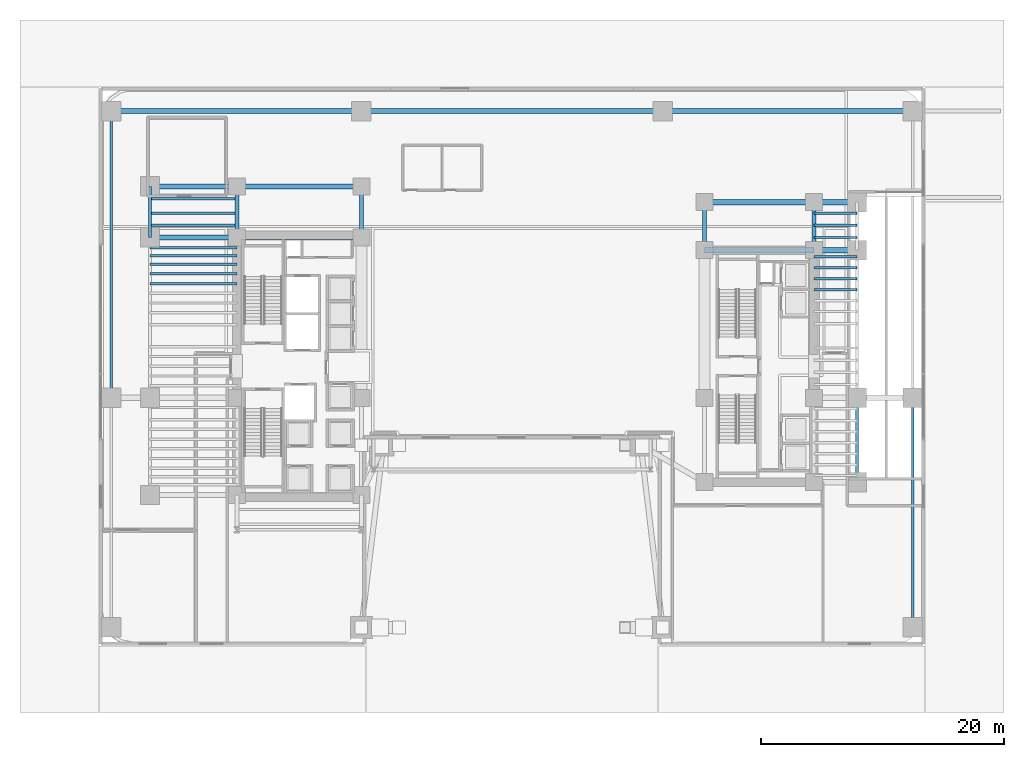
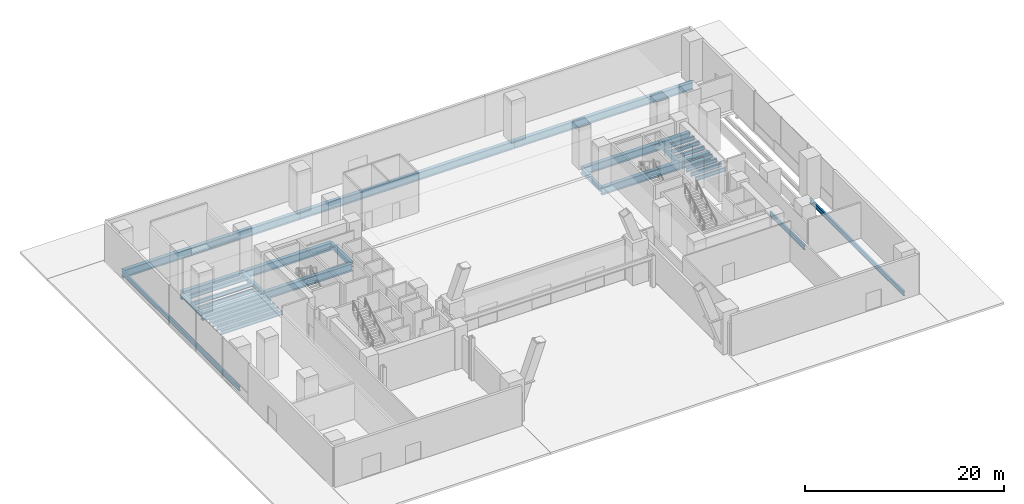
# One storey, part 9 of 27: 34 beams.
"""IFC4 building model written with IfcOpenShell, lengths in metres."""

from ifc_helpers import new_model, si_unit, direction, frame, origin, origin_2d, place, context, subcontext, project, spatial, i_section, extrude, source, transform, mapped, material, material_profile, profile_set, type_object, element, save


model = new_model("IFC4")

# Units and contexts
model_context = context("Model", 3, precision=1e-05, world=origin(), true_north=direction((0.0, 1.0)))
body_context = subcontext(model_context, "Body", "Model", "MODEL_VIEW")
ifc_project = project(units=[si_unit("LENGTHUNIT", "METRE"), si_unit("AREAUNIT", "SQUARE_METRE"), si_unit("VOLUMEUNIT", "CUBIC_METRE"), si_unit("PLANEANGLEUNIT", "RADIAN"), si_unit("MASSUNIT", "GRAM", prefix="KILO")], contexts=[model_context])

# Site, building, storey
site_placement = place(None, origin())
site = spatial("IfcSite", under=ifc_project, at=site_placement, CompositionType="ELEMENT")
building_placement = place(site_placement, origin())
building = spatial("IfcBuilding", under=site, at=building_placement, Name="Valdorenza Pilgrim Sanctuary Tower", CompositionType="ELEMENT")
storey_placement = place(building_placement, origin())
storey = spatial("IfcBuildingStorey", under=building, at=storey_placement, Name="L00", CompositionType="ELEMENT", Elevation=0.0)

# Beams
ifc_material = material(Name="Steel ASTM A992 Grade 50", Category="steel")
ifc_material_profile_1 = material_profile(ifc_material, i_section(OverallWidth=0.423095703125, OverallDepth=0.947998046875, WebThickness=0.02392578125, FlangeThickness=0.042724609375, at=origin_2d()), Name="W36X302")
ifc_profile_set_1 = profile_set([ifc_material_profile_1], Name="Steel ASTM A992 Grade 50")
beam_type_1 = type_object("IfcBeamType", Name="STR-BM-GRD-W36A", PredefinedType="BEAM", material=ifc_profile_set_1)
shared_shape_1 = source(origin(), body_context, "Body", "SweptSolid", [
    extrude(i_section(OverallWidth=0.423095703125, OverallDepth=0.947998046875, WebThickness=0.02392578125, FlangeThickness=0.042724609375, at=origin_2d()), origin(), (0.0, 0.0, 1.0), 7.150146484375),
])
for number, where, z_axis, x_axis, name in (
    (1, (-29.800048828125, 10.60009765625, -0.75390625), (1.0, 0.0, 0.0), (0.0, 1.0, 0.0), "L00 Floor Girder WA-XW-N1"),
    (2, (-29.800048828125, 14.800048828125, -0.75390625), (1.0, 0.0, 0.0), (0.0, 1.0, 0.0), "L00 Floor Girder WA-XW-N2"),
):
    element("IfcBeam", number, at=place(storey_placement, frame(where, z_axis=z_axis, x_axis=x_axis)), inside=storey, type_object=beam_type_1, Name=name, PredefinedType="BEAM", context=body_context, shape_type="MappedRepresentation", body=[
        mapped(shared_shape_1, transform((0.0, 0.0, 0.0), x_axis=(1.0, 0.0, 0.0), y_axis=(0.0, 1.0, 0.0), z_axis=(0.0, 0.0, 1.0), scale=1.0)),
    ])
shared_shape_2 = source(origin(), body_context, "Body", "SweptSolid", [
    extrude(i_section(OverallWidth=0.423095703125, OverallDepth=0.947998046875, WebThickness=0.02392578125, FlangeThickness=0.042724609375, at=origin_2d()), origin(), (0.0, 0.0, 1.0), 10.25),
])
for number, where, z_axis, x_axis, name in (
    (3, (-22.64990234375, 10.60009765625, -0.75390625), (1.0, 0.0, 0.0), (0.0, 1.0, 0.0), "L00 Floor Girder CA-XC-N1"),
    (4, (-22.64990234375, 14.800048828125, -0.75390625), (1.0, 0.0, 0.0), (0.0, 1.0, 0.0), "L00 Floor Girder CA-XC-N2"),
):
    element("IfcBeam", number, at=place(storey_placement, frame(where, z_axis=z_axis, x_axis=x_axis)), inside=storey, type_object=beam_type_1, Name=name, PredefinedType="BEAM", context=body_context, shape_type="MappedRepresentation", body=[
        mapped(shared_shape_2, transform((0.0, 0.0, 0.0), x_axis=(1.0, 0.0, 0.0), y_axis=(0.0, 1.0, 0.0), z_axis=(0.0, 0.0, 1.0), scale=1.0)),
    ])
ifc_material_profile_2 = material_profile(ifc_material, i_section(OverallWidth=0.214111328125, OverallDepth=0.549072265625, WebThickness=0.0146484375, FlangeThickness=0.023681640625, at=origin_2d()), Name="W21X93")
ifc_profile_set_2 = profile_set([ifc_material_profile_2], Name="Steel ASTM A992 Grade 50")
beam_type_2 = type_object("IfcBeamType", Name="STR-BM-SPN-W21A", PredefinedType="SPANDREL", material=ifc_profile_set_2)
shared_shape_3 = source(origin(), body_context, "Body", "SweptSolid", [
    extrude(i_section(OverallWidth=0.214111328125, OverallDepth=0.549072265625, WebThickness=0.0146484375, FlangeThickness=0.023681640625, at=origin_2d()), origin(), (0.0, 0.0, 1.0), 4.199951171875),
])
beam_1_placement = place(storey_placement, frame((-29.800048828125, 10.60009765625, -0.554443359375), z_axis=(0.0, 1.0, 0.0), x_axis=(-1.0, 0.0, 0.0)))
element("IfcBeam", 5, at=beam_1_placement, inside=storey, type_object=beam_type_2, Name="L00 Spandrel Beam WA-W-N1N2", PredefinedType="SPANDREL", context=body_context, shape_type="MappedRepresentation", body=[
    mapped(shared_shape_3, transform((0.0, 0.0, 0.0), x_axis=(1.0, 0.0, 0.0), y_axis=(0.0, 1.0, 0.0), z_axis=(0.0, 0.0, 1.0), scale=1.0)),
])
ifc_material_profile_3 = material_profile(ifc_material, i_section(OverallWidth=0.323974609375, OverallDepth=0.611083984375, WebThickness=0.0126953125, FlangeThickness=0.01904296875, at=origin_2d()), Name="W24X104")
ifc_profile_set_3 = profile_set([ifc_material_profile_3], Name="Steel ASTM A992 Grade 50")
beam_type_3 = type_object("IfcBeamType", Name="STR-BM-GRD-W24B", PredefinedType="BEAM", material=ifc_profile_set_3)
shared_shape_4 = source(origin(), body_context, "Body", "SweptSolid", [
    extrude(i_section(OverallWidth=0.323974609375, OverallDepth=0.611083984375, WebThickness=0.0126953125, FlangeThickness=0.01904296875, at=origin_2d()), origin(), (0.0, 0.0, 1.0), 4.199951171875),
])
for number, where, z_axis, x_axis, name in (
    (6, (-22.64990234375, 10.60009765625, -0.58544921875), (0.0, 1.0, 0.0), (-1.0, 0.0, 0.0), "L00 Core Tie Girder CA-W-N1N2"),
    (7, (-12.39990234375, 10.60009765625, -0.58544921875), (0.0, 1.0, 0.0), (-1.0, 0.0, 0.0), "L00 Core Tie Girder CA-E-N1N2"),
):
    element("IfcBeam", number, at=place(storey_placement, frame(where, z_axis=z_axis, x_axis=x_axis)), inside=storey, type_object=beam_type_3, Name=name, PredefinedType="BEAM", context=body_context, shape_type="MappedRepresentation", body=[
        mapped(shared_shape_4, transform((0.0, 0.0, 0.0), x_axis=(1.0, 0.0, 0.0), y_axis=(0.0, 1.0, 0.0), z_axis=(0.0, 0.0, 1.0), scale=1.0)),
    ])
ifc_material_profile_4 = material_profile(ifc_material, i_section(OverallWidth=0.193115234375, OverallDepth=0.466064453125, WebThickness=0.011474609375, FlangeThickness=0.01904296875, at=origin_2d()), Name="W18X65")
ifc_profile_set_4 = profile_set([ifc_material_profile_4], Name="Steel ASTM A992 Grade 50")
beam_type_4 = type_object("IfcBeamType", Name="STR-BM-JST-W18A", PredefinedType="JOIST", material=ifc_profile_set_4)
shared_shape_5 = source(origin(), body_context, "Body", "SweptSolid", [
    extrude(i_section(OverallWidth=0.193115234375, OverallDepth=0.466064453125, WebThickness=0.011474609375, FlangeThickness=0.01904296875, at=origin_2d()), origin(), (0.0, 0.0, 1.0), 7.150146484375),
])
for number, where, z_axis, x_axis, name in (
    (8, (-29.800048828125, 6.800048828125, -0.512939453125), (1.0, 0.0, 0.0), (0.0, 1.0, 0.0), "L00 Composite Floor Joist JST-WA-19"),
    (9, (-29.800048828125, 7.60009765625, -0.512939453125), (1.0, 0.0, 0.0), (0.0, 1.0, 0.0), "L00 Composite Floor Joist JST-WA-20"),
    (10, (-29.800048828125, 8.39990234375, -0.512939453125), (1.0, 0.0, 0.0), (0.0, 1.0, 0.0), "L00 Composite Floor Joist JST-WA-21"),
    (11, (-29.800048828125, 9.10009765625, -0.512939453125), (1.0, 0.0, 0.0), (0.0, 1.0, 0.0), "L00 Composite Floor Joist JST-WA-22"),
    (12, (-29.800048828125, 9.75, -0.512939453125), (1.0, 0.0, 0.0), (0.0, 1.0, 0.0), "L00 Composite Floor Joist JST-WA-23"),
    (13, (-29.800048828125, 11.60009765625, -0.512939453125), (1.0, 0.0, 0.0), (0.0, 1.0, 0.0), "L00 Composite Floor Joist JST-WA-24"),
    (14, (-29.800048828125, 12.60009765625, -0.512939453125), (1.0, 0.0, 0.0), (0.0, 1.0, 0.0), "L00 Composite Floor Joist JST-WA-25"),
    (15, (-29.800048828125, 13.800048828125, -0.512939453125), (1.0, 0.0, 0.0), (0.0, 1.0, 0.0), "L00 Composite Floor Joist JST-WA-26"),
):
    element("IfcBeam", number, at=place(storey_placement, frame(where, z_axis=z_axis, x_axis=x_axis)), inside=storey, type_object=beam_type_4, Name=name, PredefinedType="JOIST", context=body_context, shape_type="MappedRepresentation", body=[
        mapped(shared_shape_5, transform((0.0, 0.0, 0.0), x_axis=(1.0, 0.0, 0.0), y_axis=(0.0, 1.0, 0.0), z_axis=(0.0, 0.0, 1.0), scale=1.0)),
    ])
shared_shape_6 = source(origin(), body_context, "Body", "SweptSolid", [
    extrude(i_section(OverallWidth=0.423095703125, OverallDepth=0.947998046875, WebThickness=0.02392578125, FlangeThickness=0.042724609375, at=origin_2d()), origin(), (0.0, 0.0, 1.0), 9.0),
])
for number, where, z_axis, x_axis, name in (
    (16, (15.85009765625, 9.550048828125, -0.75390625), (1.0, 0.0, 0.0), (0.0, 1.0, 0.0), "L00 Floor Girder CB-XC-N1"),
    (17, (15.85009765625, 13.5, -0.75390625), (1.0, 0.0, 0.0), (0.0, 1.0, 0.0), "L00 Floor Girder CB-XC-N2"),
):
    element("IfcBeam", number, at=place(storey_placement, frame(where, z_axis=z_axis, x_axis=x_axis)), inside=storey, type_object=beam_type_1, Name=name, PredefinedType="BEAM", context=body_context, shape_type="MappedRepresentation", body=[
        mapped(shared_shape_6, transform((0.0, 0.0, 0.0), x_axis=(1.0, 0.0, 0.0), y_axis=(0.0, 1.0, 0.0), z_axis=(0.0, 0.0, 1.0), scale=1.0)),
    ])
shared_shape_7 = source(origin(), body_context, "Body", "SweptSolid", [
    extrude(i_section(OverallWidth=0.423095703125, OverallDepth=0.947998046875, WebThickness=0.02392578125, FlangeThickness=0.042724609375, at=origin_2d()), origin(), (0.0, 0.0, 1.0), 3.5498046875),
])
for number, where, z_axis, x_axis, name in (
    (18, (24.85009765625, 9.550048828125, -0.75390625), (1.0, 0.0, 0.0), (0.0, 1.0, 0.0), "L00 Floor Girder WB-XE-N1"),
    (19, (24.85009765625, 13.5, -0.75390625), (1.0, 0.0, 0.0), (0.0, 1.0, 0.0), "L00 Floor Girder WB-XE-N2"),
):
    element("IfcBeam", number, at=place(storey_placement, frame(where, z_axis=z_axis, x_axis=x_axis)), inside=storey, type_object=beam_type_1, Name=name, PredefinedType="BEAM", context=body_context, shape_type="MappedRepresentation", body=[
        mapped(shared_shape_7, transform((0.0, 0.0, 0.0), x_axis=(1.0, 0.0, 0.0), y_axis=(0.0, 1.0, 0.0), z_axis=(0.0, 0.0, 1.0), scale=1.0)),
    ])
shared_shape_8 = source(origin(), body_context, "Body", "SweptSolid", [
    extrude(i_section(OverallWidth=0.214111328125, OverallDepth=0.549072265625, WebThickness=0.0146484375, FlangeThickness=0.023681640625, at=origin_2d()), origin(), (0.0, 0.0, 1.0), 6.949951171875),
])
beam_2_placement = place(storey_placement, frame((28.39990234375, -9.550048828125, -0.554443359375), z_axis=(0.0, 1.0, 0.0), x_axis=(-1.0, 0.0, 0.0)))
element("IfcBeam", 20, at=beam_2_placement, inside=storey, type_object=beam_type_2, Name="L00 Spandrel Beam WB-E-S1M0", PredefinedType="SPANDREL", context=body_context, shape_type="MappedRepresentation", body=[
    mapped(shared_shape_8, transform((0.0, 0.0, 0.0), x_axis=(1.0, 0.0, 0.0), y_axis=(0.0, 1.0, 0.0), z_axis=(0.0, 0.0, 1.0), scale=1.0)),
])
shared_shape_9 = source(origin(), body_context, "Body", "SweptSolid", [
    extrude(i_section(OverallWidth=0.323974609375, OverallDepth=0.611083984375, WebThickness=0.0126953125, FlangeThickness=0.01904296875, at=origin_2d()), origin(), (0.0, 0.0, 1.0), 3.949951171875),
])
for number, where, z_axis, x_axis, name in (
    (21, (15.85009765625, 9.550048828125, -0.58544921875), (0.0, 1.0, 0.0), (-1.0, 0.0, 0.0), "L00 Core Tie Girder CB-W-N1N2"),
    (22, (24.85009765625, 9.550048828125, -0.58544921875), (0.0, 1.0, 0.0), (-1.0, 0.0, 0.0), "L00 Core Tie Girder CB-E-N1N2"),
):
    element("IfcBeam", number, at=place(storey_placement, frame(where, z_axis=z_axis, x_axis=x_axis)), inside=storey, type_object=beam_type_3, Name=name, PredefinedType="BEAM", context=body_context, shape_type="MappedRepresentation", body=[
        mapped(shared_shape_9, transform((0.0, 0.0, 0.0), x_axis=(1.0, 0.0, 0.0), y_axis=(0.0, 1.0, 0.0), z_axis=(0.0, 0.0, 1.0), scale=1.0)),
    ])
shared_shape_10 = source(origin(), body_context, "Body", "SweptSolid", [
    extrude(i_section(OverallWidth=0.193115234375, OverallDepth=0.466064453125, WebThickness=0.011474609375, FlangeThickness=0.01904296875, at=origin_2d()), origin(), (0.0, 0.0, 1.0), 3.5498046875),
])
for number, where, z_axis, x_axis, name in (
    (23, (24.85009765625, 6.300048828125, -0.512939453125), (1.0, 0.0, 0.0), (0.0, 1.0, 0.0), "L00 Composite Floor Joist JST-WB-15"),
    (24, (24.85009765625, 7.199951171875, -0.512939453125), (1.0, 0.0, 0.0), (0.0, 1.0, 0.0), "L00 Composite Floor Joist JST-WB-16"),
    (25, (24.85009765625, 8.10009765625, -0.512939453125), (1.0, 0.0, 0.0), (0.0, 1.0, 0.0), "L00 Composite Floor Joist JST-WB-17"),
    (26, (24.85009765625, 9.0, -0.512939453125), (1.0, 0.0, 0.0), (0.0, 1.0, 0.0), "L00 Composite Floor Joist JST-WB-18"),
    (27, (24.85009765625, 10.60009765625, -0.512939453125), (1.0, 0.0, 0.0), (0.0, 1.0, 0.0), "L00 Composite Floor Joist JST-WB-19"),
    (28, (24.85009765625, 11.60009765625, -0.512939453125), (1.0, 0.0, 0.0), (0.0, 1.0, 0.0), "L00 Composite Floor Joist JST-WB-20"),
    (29, (24.85009765625, 12.60009765625, -0.512939453125), (1.0, 0.0, 0.0), (0.0, 1.0, 0.0), "L00 Composite Floor Joist JST-WB-21"),
):
    element("IfcBeam", number, at=place(storey_placement, frame(where, z_axis=z_axis, x_axis=x_axis)), inside=storey, type_object=beam_type_4, Name=name, PredefinedType="JOIST", context=body_context, shape_type="MappedRepresentation", body=[
        mapped(shared_shape_10, transform((0.0, 0.0, 0.0), x_axis=(1.0, 0.0, 0.0), y_axis=(0.0, 1.0, 0.0), z_axis=(0.0, 0.0, 1.0), scale=1.0)),
    ])
shared_shape_11 = source(origin(), body_context, "Body", "SweptSolid", [
    extrude(i_section(OverallWidth=0.214111328125, OverallDepth=0.549072265625, WebThickness=0.0146484375, FlangeThickness=0.023681640625, at=origin_2d()), origin(), (0.0, 0.0, 1.0), 18.89990234375),
])
beam_3_placement = place(storey_placement, frame((33.0, -21.5, -0.554443359375), z_axis=(0.0, 1.0, 0.0), x_axis=(-1.0, 0.0, 0.0)))
element("IfcBeam", 30, at=beam_3_placement, inside=storey, type_object=beam_type_2, Name="L00 Floor Girder POD-SPN-ES", PredefinedType="SPANDREL", context=body_context, shape_type="MappedRepresentation", body=[
    mapped(shared_shape_11, transform((0.0, 0.0, 0.0), x_axis=(1.0, 0.0, 0.0), y_axis=(0.0, 1.0, 0.0), z_axis=(0.0, 0.0, 1.0), scale=1.0)),
])
shared_shape_12 = source(origin(), body_context, "Body", "SweptSolid", [
    extrude(i_section(OverallWidth=0.214111328125, OverallDepth=0.549072265625, WebThickness=0.0146484375, FlangeThickness=0.023681640625, at=origin_2d()), origin(), (0.0, 0.0, 1.0), 23.60009765625),
])
beam_4_placement = place(storey_placement, frame((-33.0, -2.60009765625, -0.554443359375), z_axis=(0.0, 1.0, 0.0), x_axis=(-1.0, 0.0, 0.0)))
element("IfcBeam", 31, at=beam_4_placement, inside=storey, type_object=beam_type_2, Name="L00 Floor Girder POD-SPN-WN", PredefinedType="SPANDREL", context=body_context, shape_type="MappedRepresentation", body=[
    mapped(shared_shape_12, transform((0.0, 0.0, 0.0), x_axis=(1.0, 0.0, 0.0), y_axis=(0.0, 1.0, 0.0), z_axis=(0.0, 0.0, 1.0), scale=1.0)),
])
shared_shape_13 = source(origin(), body_context, "Body", "SweptSolid", [
    extrude(i_section(OverallWidth=0.423095703125, OverallDepth=0.947998046875, WebThickness=0.02392578125, FlangeThickness=0.042724609375, at=origin_2d()), origin(), (0.0, 0.0, 1.0), 20.60009765625),
])
for number, where, z_axis, x_axis, name in (
    (32, (-33.0, 21.0, -0.75390625), (1.0, 0.0, 0.0), (0.0, 1.0, 0.0), "L00 Floor Girder POD-N-TIE1"),
    (33, (12.39990234375, 21.0, -0.75390625), (1.0, 0.0, 0.0), (0.0, 1.0, 0.0), "L00 Floor Girder POD-N-TIE3"),
):
    element("IfcBeam", number, at=place(storey_placement, frame(where, z_axis=z_axis, x_axis=x_axis)), inside=storey, type_object=beam_type_1, Name=name, PredefinedType="BEAM", context=body_context, shape_type="MappedRepresentation", body=[
        mapped(shared_shape_13, transform((0.0, 0.0, 0.0), x_axis=(1.0, 0.0, 0.0), y_axis=(0.0, 1.0, 0.0), z_axis=(0.0, 0.0, 1.0), scale=1.0)),
    ])
shared_shape_14 = source(origin(), body_context, "Body", "SweptSolid", [
    extrude(i_section(OverallWidth=0.423095703125, OverallDepth=0.947998046875, WebThickness=0.02392578125, FlangeThickness=0.042724609375, at=origin_2d()), origin(), (0.0, 0.0, 1.0), 24.7998046875),
])
beam_5_placement = place(storey_placement, frame((-12.39990234375, 21.0, -0.75390625), z_axis=(1.0, 0.0, 0.0), x_axis=(0.0, 1.0, 0.0)))
element("IfcBeam", 34, at=beam_5_placement, inside=storey, type_object=beam_type_1, Name="L00 Floor Girder POD-N-TIE2", PredefinedType="BEAM", context=body_context, shape_type="MappedRepresentation", body=[
    mapped(shared_shape_14, transform((0.0, 0.0, 0.0), x_axis=(1.0, 0.0, 0.0), y_axis=(0.0, 1.0, 0.0), z_axis=(0.0, 0.0, 1.0), scale=1.0)),
])

save(model, "model.ifc")
